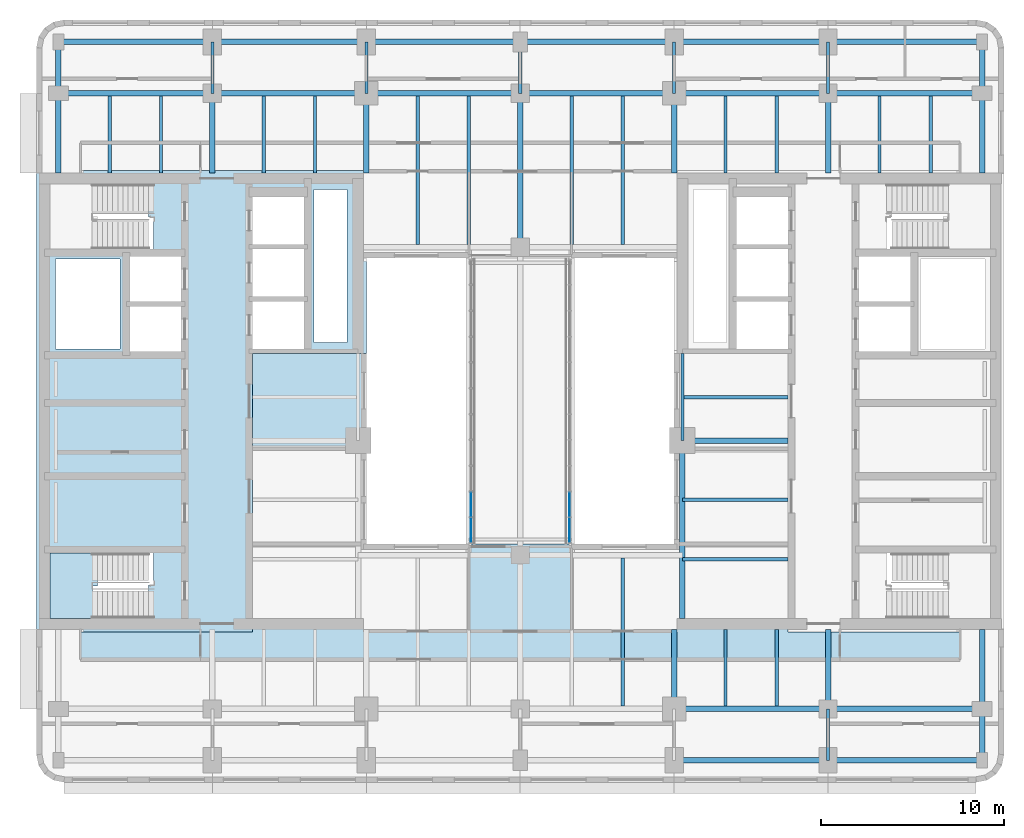
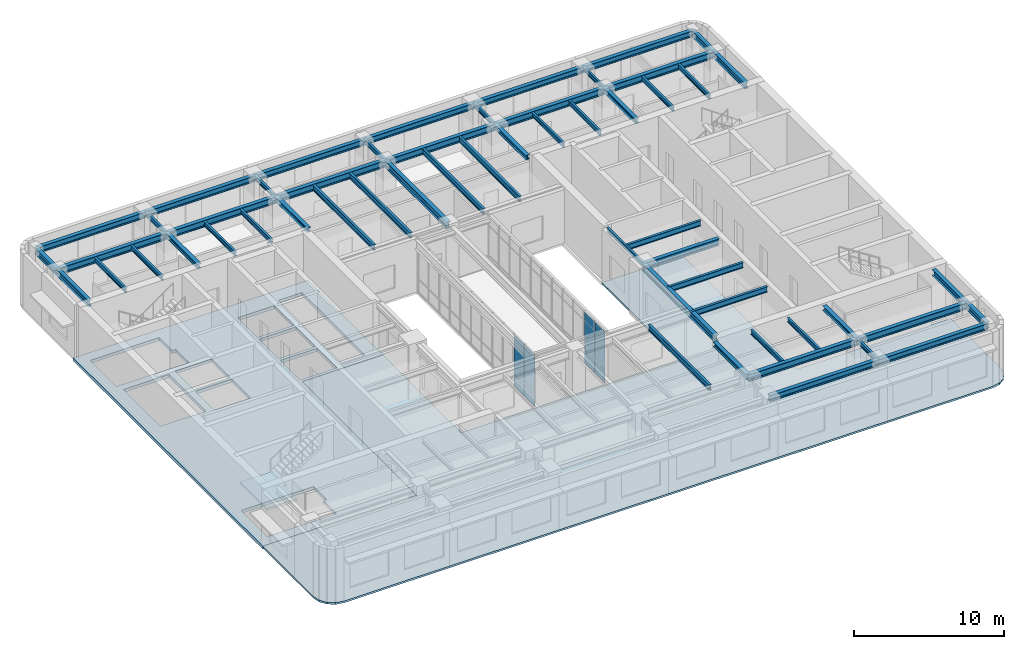
# One storey, part 4 of 14: 56 beams, 8 plates, 3 slabs, 3 elements without a shape of their own.
"""IFC4 building model written with IfcOpenShell, lengths in metres."""

import ifcopenshell
import ifcopenshell.guid

model = None  # the IFC model being written
_history = None  # IfcOwnerHistory: only IFC2X3 demands one
_inside = {}  # id of a spatial element -> (the spatial element, [elements in it])
_under = {}  # id of a project, library or spatial element -> (it, [spatial elements below it])
_declared = {}  # id of a project -> (the project, [libraries it declares])
_typed = {}  # id of a type object -> (the type object, [elements of that type])
_made_of = {}  # id of a material, layer set ... -> (it, [elements and type objects made of it])


def new_model(schema):
    """Start an empty IFC model of exactly this schema.

    Asked for "IFC4X3", IfcOpenShell would pick the latest addendum, in which some entities
    have other attributes; the version numbers below select the first issue.
    IFC2X3 requires an IfcOwnerHistory on every rooted entity: one is made here for all.
    """
    global model, _history
    if schema == "IFC4X3":
        model = ifcopenshell.file(schema_version=(4, 3, 0, 0))
    else:
        model = ifcopenshell.file(schema=schema)
    _inside.clear()
    _under.clear()
    _declared.clear()
    _typed.clear()
    _made_of.clear()
    _history = None
    if model.schema == "IFC2X3":
        org = make("IfcOrganization", Name="unknown")
        user = make(
            "IfcPersonAndOrganization",
            ThePerson=make("IfcPerson", FamilyName="unknown"),
            TheOrganization=org,
        )
        app = make(
            "IfcApplication",
            ApplicationDeveloper=org,
            Version="unknown",
            ApplicationFullName="unknown",
            ApplicationIdentifier="unknown",
        )
        _history = make(
            "IfcOwnerHistory",
            OwningUser=user,
            OwningApplication=app,
            ChangeAction="ADDED",
            CreationDate=0,
        )
    return model


def make(cls, **values):
    """One entity of the class cls with the attributes given. An attribute that is None is left unset."""
    return model.create_entity(
        cls, **{name: value for name, value in values.items() if value is not None}
    )


def rooted(cls, **values):
    """An entity with a GlobalId (a new one), such as an element, a storey or a relation."""
    return make(cls, GlobalId=ifcopenshell.guid.new(), OwnerHistory=_history, **values)


def si_unit(unit_type, name, prefix=None):
    """IfcSIUnit, for example si_unit("LENGTHUNIT", "METRE", prefix="MILLI")."""
    return make("IfcSIUnit", UnitType=unit_type, Prefix=prefix, Name=name)


def assignment(units):
    """IfcUnitAssignment: the units of a project."""
    return None if units is None else make("IfcUnitAssignment", Units=units)


def point(xyz):
    """IfcCartesianPoint."""
    return None if xyz is None else make("IfcCartesianPoint", Coordinates=xyz)


def direction(xyz):
    """IfcDirection."""
    return None if xyz is None else make("IfcDirection", DirectionRatios=xyz)


def frame(location, z_axis=None, x_axis=None):
    """IfcAxis2Placement3D, a coordinate frame: its origin and axes. An axis left out is left unset."""
    return make(
        "IfcAxis2Placement3D",
        Location=point(location),
        Axis=direction(z_axis),
        RefDirection=direction(x_axis),
    )


def frame_2d(location, x_axis=None):
    """IfcAxis2Placement2D, a coordinate frame in the plane: its origin and x axis."""
    return make(
        "IfcAxis2Placement2D", Location=point(location), RefDirection=direction(x_axis)
    )


def origin():
    """The frame at (0, 0, 0) with its axes left unset."""
    return frame((0.0, 0.0, 0.0))


def origin_2d():
    """The frame at (0, 0) in the plane with its x axis left unset."""
    return frame_2d((0.0, 0.0))


def place(relative_to, where):
    """IfcLocalPlacement: puts the frame where relative to a parent placement (None: the world)."""
    return make(
        "IfcLocalPlacement", PlacementRelTo=relative_to, RelativePlacement=where
    )


def context(
    kind, dimensions, precision=None, world=None, true_north=None, identifier=None
):
    """IfcGeometricRepresentationContext, for example the 3D "Model" context."""
    return make(
        "IfcGeometricRepresentationContext",
        ContextIdentifier=identifier,
        ContextType=kind,
        CoordinateSpaceDimension=dimensions,
        Precision=precision,
        WorldCoordinateSystem=world,
        TrueNorth=true_north,
    )


def subcontext(parent, identifier, kind, view, scale=None):
    """IfcGeometricRepresentationSubContext, for example "Body" below "Model"."""
    return make(
        "IfcGeometricRepresentationSubContext",
        ContextIdentifier=identifier,
        ContextType=kind,
        ParentContext=parent,
        TargetScale=scale,
        TargetView=view,
    )


def project(units=None, contexts=None):
    """IfcProject with its units and contexts."""
    return rooted(
        "IfcProject",
        Name="project",
        RepresentationContexts=contexts,
        UnitsInContext=assignment(units),
    )


def spatial(cls, under=None, at=None, **own):
    """A site, building, storey or space (cls), placed at a placement, below another one or the project."""
    s = rooted(cls, ObjectPlacement=at, **own)
    if under is not None:
        _under.setdefault(under.id(), (under, []))[1].append(s)
    return s


def polyline(points):
    """IfcPolyline through the points."""
    return make("IfcPolyline", Points=[point(p) for p in points])


def profile(cls, at=None, kind="AREA", **sizes):
    """A parametric profile (cls). Its sizes go by their IFC names, for example OverallWidth=200.0."""
    return make(cls, ProfileType=kind, Position=at, **sizes)


def rectangle(**sizes):
    """IfcRectangleProfileDef."""
    return profile("IfcRectangleProfileDef", **sizes)


def i_section(**sizes):
    """IfcIShapeProfileDef."""
    return profile("IfcIShapeProfileDef", **sizes)


def outline(outer, holes=None, kind="AREA"):
    """IfcArbitraryClosedProfileDef: a profile drawn as a closed curve; with holes, ...WithVoids."""
    if holes is None:
        return make("IfcArbitraryClosedProfileDef", ProfileType=kind, OuterCurve=outer)
    return make(
        "IfcArbitraryProfileDefWithVoids",
        ProfileType=kind,
        OuterCurve=outer,
        InnerCurves=holes,
    )


def extrude(swept, where, along, depth):
    """IfcExtrudedAreaSolid: the profile swept, set in the frame where, extruded along a direction by depth."""
    return make(
        "IfcExtrudedAreaSolid",
        SweptArea=swept,
        Position=where,
        ExtrudedDirection=direction(along),
        Depth=depth,
    )


def shape(context_of_items, identifier, shape_type, items):
    """IfcShapeRepresentation: the items that make up one representation, for example the "Body"."""
    return make(
        "IfcShapeRepresentation",
        ContextOfItems=context_of_items,
        RepresentationIdentifier=identifier,
        RepresentationType=shape_type,
        Items=items,
    )


def material(Name=None, Category=None):
    """IfcMaterial."""
    return make("IfcMaterial", Name=Name, Category=Category)


def layer(
    of_material, thickness, ventilated=None, Name=None, Category=None, Priority=None
):
    """IfcMaterialLayer: one layer of a wall or slab, of a material (None: an air gap)."""
    return make(
        "IfcMaterialLayer",
        Material=of_material,
        LayerThickness=thickness,
        IsVentilated=ventilated,
        Name=Name,
        Category=Category,
        Priority=Priority,
    )


def layer_set(layers, Name=None):
    """IfcMaterialLayerSet."""
    return make("IfcMaterialLayerSet", MaterialLayers=layers, LayerSetName=Name)


def material_profile(
    of_material, cross_section, Name=None, Category=None, Priority=None
):
    """IfcMaterialProfile: a cross section and its material."""
    return make(
        "IfcMaterialProfile",
        Name=Name,
        Material=of_material,
        Profile=cross_section,
        Priority=Priority,
        Category=Category,
    )


def profile_set(profiles, Name=None, composite=None):
    """IfcMaterialProfileSet."""
    return make(
        "IfcMaterialProfileSet",
        Name=Name,
        MaterialProfiles=profiles,
        CompositeProfile=composite,
    )


def made_of(thing, what):
    """Note that an element or type object is made of a material, layer set ...; save() writes the relation."""
    if what is not None:
        _made_of.setdefault(what.id(), (what, []))[1].append(thing)
    return thing


def type_object(cls, material=None, **own):
    """A type object (cls), such as IfcWallType, which elements share."""
    return made_of(rooted(cls, **own), material)


def element(
    cls,
    number,
    at=None,
    inside=None,
    cuts=None,
    type_object=None,
    material=None,
    context=None,
    identifier="Body",
    shape_type=None,
    held_by="IfcProductDefinitionShape",
    body=None,
    shapes=None,
    **own,
):
    """One element of the class cls, such as IfcWall. Its Tag is "e" and its number.

    at: its placement. inside: the storey or other place that contains it. cuts: it is an
    opening in that element (IfcRelVoidsElement). A single representation is given by context,
    identifier, shape_type and body (its items); several are given by shapes. held_by: the class
    of the entity that holds the representations. save() writes the other relations.
    """
    e = rooted(cls, Tag="e%d" % number, ObjectPlacement=at, **own)
    if body is not None:
        shapes = [shape(context, identifier, shape_type, body)]
    if shapes is not None:
        e.Representation = make(held_by, Representations=shapes)
    if inside is not None:
        _inside.setdefault(inside.id(), (inside, []))[1].append(e)
    if cuts is not None:
        rooted(
            "IfcRelVoidsElement", RelatingBuildingElement=cuts, RelatedOpeningElement=e
        )
    if type_object is not None:
        _typed.setdefault(type_object.id(), (type_object, []))[1].append(e)
    return made_of(e, material)


def aggregate(whole, parts):
    """IfcRelAggregates: a whole, such as a stair, and the parts it consists of."""
    return rooted("IfcRelAggregates", RelatingObject=whole, RelatedObjects=parts)


def save(model, path):
    """Write the relations noted so far, then the file.

    IfcRelAggregates (storeys below a building ...), IfcRelContainedInSpatialStructure (elements
    in a storey), IfcRelDefinesByType, IfcRelAssociatesMaterial and IfcRelDeclares: one each for
    every whole, place, type object, material and project.
    """
    for whole, parts in _under.values():
        aggregate(whole, parts)
    for where, things in _inside.values():
        rooted(
            "IfcRelContainedInSpatialStructure",
            RelatedElements=things,
            RelatingStructure=where,
        )
    for kind, things in _typed.values():
        rooted("IfcRelDefinesByType", RelatedObjects=things, RelatingType=kind)
    for what, things in _made_of.values():
        rooted("IfcRelAssociatesMaterial", RelatedObjects=things, RelatingMaterial=what)
    for by, libraries in _declared.values():
        rooted("IfcRelDeclares", RelatingContext=by, RelatedDefinitions=libraries)
    model.write(path)


model = new_model("IFC4")

# Units and contexts
model_context = context("Model", 3, precision=1e-05, world=origin(), true_north=direction((0.0, 1.0)))
body_context = subcontext(model_context, "Body", "Model", "MODEL_VIEW")
ifc_project = project(units=[si_unit("LENGTHUNIT", "METRE"), si_unit("AREAUNIT", "SQUARE_METRE"), si_unit("VOLUMEUNIT", "CUBIC_METRE"), si_unit("PLANEANGLEUNIT", "RADIAN"), si_unit("MASSUNIT", "GRAM", prefix="KILO")], contexts=[model_context])

# Site, building, storey
site_placement = place(None, origin())
site = spatial("IfcSite", under=ifc_project, at=site_placement, CompositionType="ELEMENT")
building_placement = place(site_placement, origin())
building = spatial("IfcBuilding", under=site, at=building_placement, Name="Claustro Exchange Tower", CompositionType="ELEMENT")
storey_placement = place(building_placement, frame((0.0, 0.0, 250.199951171875)))
storey = spatial("IfcBuildingStorey", under=building, at=storey_placement, Name="L57", CompositionType="ELEMENT", Elevation=250.199951171875)

# Beams
ifc_material_1 = material(Name="Steel S355", Category="steel")
ifc_material_profile_1 = material_profile(ifc_material_1, i_section(OverallWidth=0.169921875, OverallDepth=0.360107421875, WebThickness=0.008056640625, FlangeThickness=0.0126953125, FilletRadius=0.01806640625, at=origin_2d()), Name="IPE 360")
ifc_profile_set_1 = profile_set([ifc_material_profile_1], Name="Steel S355")
beam_type_1 = type_object("IfcBeamType", Name="B16 IPE 360 short-span beam", PredefinedType="BEAM", material=ifc_profile_set_1)
for number, where, z_axis, x_axis, name in (
    (1, (8.39990234375, 42.0, 4.170166015625), (0.0, 1.0, 0.0), (-1.0, 0.0, 0.0), "Beam B16 L58"),
    (2, (16.800048828125, 42.0, 4.170166015625), (0.0, 1.0, 0.0), (-1.0, 0.0, 0.0), "Beam B16 L58"),
    (3, (25.199951171875, 42.0, 4.170166015625), (0.0, 1.0, 0.0), (-1.0, 0.0, 0.0), "Beam B16 L58"),
    (4, (33.60009765625, 42.0, 4.170166015625), (0.0, 1.0, 0.0), (-1.0, 0.0, 0.0), "Beam B16 L58"),
):
    element("IfcBeam", number, at=place(storey_placement, frame(where, z_axis=z_axis, x_axis=x_axis)), inside=storey, type_object=beam_type_1, Name=name, PredefinedType="BEAM", context=body_context, shape_type="SweptSolid", body=[
        extrude(i_section(OverallWidth=0.169921875, OverallDepth=0.360107421875, WebThickness=0.008056640625, FlangeThickness=0.0126953125, FilletRadius=0.01806640625, at=origin_2d()), origin(), (0.0, 0.0, 1.0), 2.800048828125),
    ])
beam_1_placement = place(storey_placement, frame((42.0, 5.60009765625, 4.170166015625), z_axis=(0.0, 1.0, 0.0), x_axis=(-1.0, 0.0, 0.0)))
element("IfcBeam", 5, at=beam_1_placement, inside=storey, type_object=beam_type_1, Name="Beam B16 L58", PredefinedType="BEAM", context=body_context, shape_type="SweptSolid", body=[
    extrude(i_section(OverallWidth=0.169921875, OverallDepth=0.360107421875, WebThickness=0.008056640625, FlangeThickness=0.0126953125, FilletRadius=0.01806640625, at=origin_2d()), origin(), (0.0, 0.0, 1.0), 2.7998046875),
])
beam_2_placement = place(storey_placement, frame((42.0, 42.0, 4.170166015625), z_axis=(0.0, 1.0, 0.0), x_axis=(-1.0, 0.0, 0.0)))
element("IfcBeam", 6, at=beam_2_placement, inside=storey, type_object=beam_type_1, Name="Beam B16 L58", PredefinedType="BEAM", context=body_context, shape_type="SweptSolid", body=[
    extrude(i_section(OverallWidth=0.169921875, OverallDepth=0.360107421875, WebThickness=0.008056640625, FlangeThickness=0.0126953125, FilletRadius=0.01806640625, at=origin_2d()), origin(), (0.0, 0.0, 1.0), 2.800048828125),
])
for number, where, z_axis, x_axis, name in (
    (7, (2.800048828125, 37.64990234375, 4.170166015625), (0.0, 1.0, 0.0), (-1.0, 0.0, 0.0), "Beam B16 L58"),
    (8, (5.60009765625, 37.64990234375, 4.170166015625), (0.0, 1.0, 0.0), (-1.0, 0.0, 0.0), "Beam B16 L58"),
    (9, (11.199951171875, 37.64990234375, 4.170166015625), (0.0, 1.0, 0.0), (-1.0, 0.0, 0.0), "Beam B16 L58"),
    (10, (14.0, 37.64990234375, 4.170166015625), (0.0, 1.0, 0.0), (-1.0, 0.0, 0.0), "Beam B16 L58"),
):
    element("IfcBeam", number, at=place(storey_placement, frame(where, z_axis=z_axis, x_axis=x_axis)), inside=storey, type_object=beam_type_1, Name=name, PredefinedType="BEAM", context=body_context, shape_type="SweptSolid", body=[
        extrude(i_section(OverallWidth=0.169921875, OverallDepth=0.360107421875, WebThickness=0.008056640625, FlangeThickness=0.0126953125, FilletRadius=0.01806640625, at=origin_2d()), origin(), (0.0, 0.0, 1.0), 4.2001953125),
    ])
for number, where, z_axis, x_axis, name in (
    (11, (36.39990234375, 8.550048828125, 4.170166015625), (0.0, 1.0, 0.0), (-1.0, 0.0, 0.0), "Beam B16 L58"),
    (12, (39.199951171875, 8.550048828125, 4.170166015625), (0.0, 1.0, 0.0), (-1.0, 0.0, 0.0), "Beam B16 L58"),
):
    element("IfcBeam", number, at=place(storey_placement, frame(where, z_axis=z_axis, x_axis=x_axis)), inside=storey, type_object=beam_type_1, Name=name, PredefinedType="BEAM", context=body_context, shape_type="SweptSolid", body=[
        extrude(i_section(OverallWidth=0.169921875, OverallDepth=0.360107421875, WebThickness=0.008056640625, FlangeThickness=0.0126953125, FilletRadius=0.01806640625, at=origin_2d()), origin(), (0.0, 0.0, 1.0), 4.199951171875),
    ])
for number, where, z_axis, x_axis, name in (
    (13, (36.39990234375, 37.64990234375, 4.170166015625), (0.0, 1.0, 0.0), (-1.0, 0.0, 0.0), "Beam B16 L58"),
    (14, (39.199951171875, 37.64990234375, 4.170166015625), (0.0, 1.0, 0.0), (-1.0, 0.0, 0.0), "Beam B16 L58"),
    (15, (44.800048828125, 37.64990234375, 4.170166015625), (0.0, 1.0, 0.0), (-1.0, 0.0, 0.0), "Beam B16 L58"),
    (16, (47.60009765625, 37.64990234375, 4.170166015625), (0.0, 1.0, 0.0), (-1.0, 0.0, 0.0), "Beam B16 L58"),
):
    element("IfcBeam", number, at=place(storey_placement, frame(where, z_axis=z_axis, x_axis=x_axis)), inside=storey, type_object=beam_type_1, Name=name, PredefinedType="BEAM", context=body_context, shape_type="SweptSolid", body=[
        extrude(i_section(OverallWidth=0.169921875, OverallDepth=0.360107421875, WebThickness=0.008056640625, FlangeThickness=0.0126953125, FilletRadius=0.01806640625, at=origin_2d()), origin(), (0.0, 0.0, 1.0), 4.2001953125),
    ])
beam_3_placement = place(storey_placement, frame((34.050048828125, 23.050048828125, 4.170166015625), z_axis=(0.0, 1.0, 0.0), x_axis=(-1.0, 0.0, 0.0)))
element("IfcBeam", 17, at=beam_3_placement, inside=storey, type_object=beam_type_1, Name="Beam B16 core step framing L58", PredefinedType="BEAM", context=body_context, shape_type="SweptSolid", body=[
    extrude(i_section(OverallWidth=0.169921875, OverallDepth=0.360107421875, WebThickness=0.008056640625, FlangeThickness=0.0126953125, FilletRadius=0.01806640625, at=origin_2d()), origin(), (0.0, 0.0, 1.0), 4.75),
])
ifc_material_2 = material(Name="Steel S355", Category="steel")
ifc_material_profile_2 = material_profile(ifc_material_2, i_section(OverallWidth=0.300048828125, OverallDepth=0.550048828125, WebThickness=0.014892578125, FlangeThickness=0.029052734375, FilletRadius=0.027099609375, at=origin_2d()), Name="HE 550 B")
ifc_profile_set_2 = profile_set([ifc_material_profile_2], Name="Steel S355")
beam_type_2 = type_object("IfcBeamType", Name="B17 HE 550 B floor girder", PredefinedType="BEAM", material=ifc_profile_set_2)
for number, where, z_axis, x_axis, name in (
    (18, (25.199951171875, 33.60009765625, 4.074951171875), (0.0, 1.0, 0.0), (-1.0, 0.0, 0.0), "Beam B17 L58"),
    (19, (33.60009765625, 8.39990234375, 4.074951171875), (1.0, 0.0, 0.0), (0.0, 1.0, 0.0), "Beam B17 L58"),
    (20, (42.0, 8.39990234375, 4.074951171875), (1.0, 0.0, 0.0), (0.0, 1.0, 0.0), "Beam B17 L58"),
    (21, (0.0, 42.0, 4.074951171875), (1.0, 0.0, 0.0), (0.0, 1.0, 0.0), "Beam B17 L58"),
):
    element("IfcBeam", number, at=place(storey_placement, frame(where, z_axis=z_axis, x_axis=x_axis)), inside=storey, type_object=beam_type_2, Name=name, PredefinedType="BEAM", context=body_context, shape_type="SweptSolid", body=[
        extrude(i_section(OverallWidth=0.300048828125, OverallDepth=0.550048828125, WebThickness=0.014892578125, FlangeThickness=0.029052734375, FilletRadius=0.027099609375, at=origin_2d()), origin(), (0.0, 0.0, 1.0), 8.39990234375),
    ])
beam_4_placement = place(storey_placement, frame((8.39990234375, 42.0, 4.074951171875), z_axis=(1.0, 0.0, 0.0), x_axis=(0.0, 1.0, 0.0)))
element("IfcBeam", 22, at=beam_4_placement, inside=storey, type_object=beam_type_2, Name="Beam B17 L58", PredefinedType="BEAM", context=body_context, shape_type="SweptSolid", body=[
    extrude(i_section(OverallWidth=0.300048828125, OverallDepth=0.550048828125, WebThickness=0.014892578125, FlangeThickness=0.029052734375, FilletRadius=0.027099609375, at=origin_2d()), origin(), (0.0, 0.0, 1.0), 8.400146484375),
])
beam_5_placement = place(storey_placement, frame((16.800048828125, 42.0, 4.074951171875), z_axis=(1.0, 0.0, 0.0), x_axis=(0.0, 1.0, 0.0)))
element("IfcBeam", 23, at=beam_5_placement, inside=storey, type_object=beam_type_2, Name="Beam B17 L58", PredefinedType="BEAM", context=body_context, shape_type="SweptSolid", body=[
    extrude(i_section(OverallWidth=0.300048828125, OverallDepth=0.550048828125, WebThickness=0.014892578125, FlangeThickness=0.029052734375, FilletRadius=0.027099609375, at=origin_2d()), origin(), (0.0, 0.0, 1.0), 8.39990234375),
])
beam_6_placement = place(storey_placement, frame((25.199951171875, 42.0, 4.074951171875), z_axis=(1.0, 0.0, 0.0), x_axis=(0.0, 1.0, 0.0)))
element("IfcBeam", 24, at=beam_6_placement, inside=storey, type_object=beam_type_2, Name="Beam B17 L58", PredefinedType="BEAM", context=body_context, shape_type="SweptSolid", body=[
    extrude(i_section(OverallWidth=0.300048828125, OverallDepth=0.550048828125, WebThickness=0.014892578125, FlangeThickness=0.029052734375, FilletRadius=0.027099609375, at=origin_2d()), origin(), (0.0, 0.0, 1.0), 8.400146484375),
])
for number, where, z_axis, x_axis, name in (
    (25, (33.60009765625, 42.0, 4.074951171875), (1.0, 0.0, 0.0), (0.0, 1.0, 0.0), "Beam B17 L58"),
    (26, (42.0, 42.0, 4.074951171875), (1.0, 0.0, 0.0), (0.0, 1.0, 0.0), "Beam B17 L58"),
):
    element("IfcBeam", number, at=place(storey_placement, frame(where, z_axis=z_axis, x_axis=x_axis)), inside=storey, type_object=beam_type_2, Name=name, PredefinedType="BEAM", context=body_context, shape_type="SweptSolid", body=[
        extrude(i_section(OverallWidth=0.300048828125, OverallDepth=0.550048828125, WebThickness=0.014892578125, FlangeThickness=0.029052734375, FilletRadius=0.027099609375, at=origin_2d()), origin(), (0.0, 0.0, 1.0), 8.39990234375),
    ])
beam_7_placement = place(storey_placement, frame((34.050048828125, 23.050048828125, 4.074951171875), z_axis=(1.0, 0.0, 0.0), x_axis=(0.0, 1.0, 0.0)))
element("IfcBeam", 27, at=beam_7_placement, inside=storey, type_object=beam_type_2, Name="Beam B17 core step framing L58", PredefinedType="BEAM", context=body_context, shape_type="SweptSolid", body=[
    extrude(i_section(OverallWidth=0.300048828125, OverallDepth=0.550048828125, WebThickness=0.014892578125, FlangeThickness=0.029052734375, FilletRadius=0.027099609375, at=origin_2d()), origin(), (0.0, 0.0, 1.0), 5.75),
])
beam_8_placement = place(storey_placement, frame((34.050048828125, 13.35009765625, 4.074951171875), z_axis=(0.0, 1.0, 0.0), x_axis=(-1.0, 0.0, 0.0)))
element("IfcBeam", 28, at=beam_8_placement, inside=storey, type_object=beam_type_2, Name="Beam B17 core step framing L58", PredefinedType="BEAM", context=body_context, shape_type="SweptSolid", body=[
    extrude(i_section(OverallWidth=0.300048828125, OverallDepth=0.550048828125, WebThickness=0.014892578125, FlangeThickness=0.029052734375, FilletRadius=0.027099609375, at=origin_2d()), origin(), (0.0, 0.0, 1.0), 9.699951171875),
])
ifc_material_3 = material(Name="Steel S355", Category="steel")
ifc_material_profile_3 = material_profile(ifc_material_3, i_section(OverallWidth=0.300048828125, OverallDepth=0.360107421875, WebThickness=0.012451171875, FlangeThickness=0.0224609375, FilletRadius=0.027099609375, at=origin_2d()), Name="HE 360 B")
ifc_profile_set_3 = profile_set([ifc_material_profile_3], Name="Steel S355")
beam_type_3 = type_object("IfcBeamType", Name="B29 HE 360 B column to core link beam", PredefinedType="BEAM", material=ifc_profile_set_3)
for number, where, z_axis, x_axis, name in (
    (29, (8.39990234375, 37.64990234375, 4.170166015625), (0.0, 1.0, 0.0), (-1.0, 0.0, 0.0), "Beam B29 L58"),
    (30, (16.800048828125, 37.64990234375, 4.170166015625), (0.0, 1.0, 0.0), (-1.0, 0.0, 0.0), "Beam B29 L58"),
    (31, (33.60009765625, 8.39990234375, 4.170166015625), (0.0, 1.0, 0.0), (-1.0, 0.0, 0.0), "Beam B29 L58"),
    (32, (33.60009765625, 37.64990234375, 4.170166015625), (0.0, 1.0, 0.0), (-1.0, 0.0, 0.0), "Beam B29 L58"),
    (33, (42.0, 8.39990234375, 4.170166015625), (0.0, 1.0, 0.0), (-1.0, 0.0, 0.0), "Beam B29 L58"),
    (34, (42.0, 37.64990234375, 4.170166015625), (0.0, 1.0, 0.0), (-1.0, 0.0, 0.0), "Beam B29 L58"),
):
    element("IfcBeam", number, at=place(storey_placement, frame(where, z_axis=z_axis, x_axis=x_axis)), inside=storey, type_object=beam_type_3, Name=name, PredefinedType="BEAM", context=body_context, shape_type="SweptSolid", body=[
        extrude(i_section(OverallWidth=0.300048828125, OverallDepth=0.360107421875, WebThickness=0.012451171875, FlangeThickness=0.0224609375, FilletRadius=0.027099609375, at=origin_2d()), origin(), (0.0, 0.0, 1.0), 4.35009765625),
    ])
ifc_material_4 = material(Name="Steel S355", Category="steel")
ifc_material_profile_4 = material_profile(ifc_material_4, i_section(OverallWidth=0.18994140625, OverallDepth=0.449951171875, WebThickness=0.009521484375, FlangeThickness=0.0146484375, FilletRadius=0.02099609375, at=origin_2d()), Name="IPE 450")
ifc_profile_set_4 = profile_set([ifc_material_profile_4], Name="Steel S355")
beam_type_4 = type_object("IfcBeamType", Name="B8 IPE 450 secondary beam", PredefinedType="BEAM", material=ifc_profile_set_4)
for number, where, z_axis, x_axis, name in (
    (35, (19.60009765625, 33.75, 4.125), (0.0, 1.0, 0.0), (-1.0, 0.0, 0.0), "Beam B8 L58"),
    (36, (22.39990234375, 33.75, 4.125), (0.0, 1.0, 0.0), (-1.0, 0.0, 0.0), "Beam B8 L58"),
):
    element("IfcBeam", number, at=place(storey_placement, frame(where, z_axis=z_axis, x_axis=x_axis)), inside=storey, type_object=beam_type_4, Name=name, PredefinedType="BEAM", context=body_context, shape_type="SweptSolid", body=[
        extrude(i_section(OverallWidth=0.18994140625, OverallDepth=0.449951171875, WebThickness=0.009521484375, FlangeThickness=0.0146484375, FilletRadius=0.02099609375, at=origin_2d()), origin(), (0.0, 0.0, 1.0), 8.10009765625),
    ])
beam_9_placement = place(storey_placement, frame((30.800048828125, 8.550048828125, 4.125), z_axis=(0.0, 1.0, 0.0), x_axis=(-1.0, 0.0, 0.0)))
element("IfcBeam", 37, at=beam_9_placement, inside=storey, type_object=beam_type_4, Name="Beam B8 L58", PredefinedType="BEAM", context=body_context, shape_type="SweptSolid", body=[
    extrude(i_section(OverallWidth=0.18994140625, OverallDepth=0.449951171875, WebThickness=0.009521484375, FlangeThickness=0.0146484375, FilletRadius=0.02099609375, at=origin_2d()), origin(), (0.0, 0.0, 1.0), 8.099853515625),
])
for number, where, z_axis, x_axis, name in (
    (38, (28.0, 33.75, 4.125), (0.0, 1.0, 0.0), (-1.0, 0.0, 0.0), "Beam B8 L58"),
    (39, (30.800048828125, 33.75, 4.125), (0.0, 1.0, 0.0), (-1.0, 0.0, 0.0), "Beam B8 L58"),
):
    element("IfcBeam", number, at=place(storey_placement, frame(where, z_axis=z_axis, x_axis=x_axis)), inside=storey, type_object=beam_type_4, Name=name, PredefinedType="BEAM", context=body_context, shape_type="SweptSolid", body=[
        extrude(i_section(OverallWidth=0.18994140625, OverallDepth=0.449951171875, WebThickness=0.009521484375, FlangeThickness=0.0146484375, FilletRadius=0.02099609375, at=origin_2d()), origin(), (0.0, 0.0, 1.0), 8.10009765625),
    ])
for number, where, z_axis, x_axis, name in (
    (40, (34.050048828125, 16.583251953125, 4.125), (1.0, 0.0, 0.0), (0.0, 1.0, 0.0), "Beam B8 core step framing L58"),
    (41, (34.050048828125, 19.816650390625, 4.125), (1.0, 0.0, 0.0), (0.0, 1.0, 0.0), "Beam B8 core step framing L58"),
    (42, (34.050048828125, 25.425048828125, 4.125), (1.0, 0.0, 0.0), (0.0, 1.0, 0.0), "Beam B8 core step framing L58"),
):
    element("IfcBeam", number, at=place(storey_placement, frame(where, z_axis=z_axis, x_axis=x_axis)), inside=storey, type_object=beam_type_4, Name=name, PredefinedType="BEAM", context=body_context, shape_type="SweptSolid", body=[
        extrude(i_section(OverallWidth=0.18994140625, OverallDepth=0.449951171875, WebThickness=0.009521484375, FlangeThickness=0.0146484375, FilletRadius=0.02099609375, at=origin_2d()), origin(), (0.0, 0.0, 1.0), 5.75),
    ])
ifc_material_5 = material(Name="Steel S355", Category="steel")
ifc_material_profile_5 = material_profile(ifc_material_5, i_section(OverallWidth=0.300048828125, OverallDepth=0.489990234375, WebThickness=0.011962890625, FlangeThickness=0.02294921875, FilletRadius=0.027099609375, at=origin_2d()), Name="HE 500 A")
ifc_profile_set_5 = profile_set([ifc_material_profile_5], Name="Steel S355")
beam_type_5 = type_object("IfcBeamType", Name="B9 HE 500 A spandrel edge girder", PredefinedType="SPANDREL", material=ifc_profile_set_5)
beam_10_placement = place(storey_placement, frame((0.0, 37.64990234375, 4.10498046875), z_axis=(0.0, 1.0, 0.0), x_axis=(-1.0, 0.0, 0.0)))
element("IfcBeam", 43, at=beam_10_placement, inside=storey, type_object=beam_type_5, Name="Beam B9 L58", PredefinedType="SPANDREL", context=body_context, shape_type="SweptSolid", body=[
    extrude(i_section(OverallWidth=0.300048828125, OverallDepth=0.489990234375, WebThickness=0.011962890625, FlangeThickness=0.02294921875, FilletRadius=0.027099609375, at=origin_2d()), origin(), (0.0, 0.0, 1.0), 4.35009765625),
])
beam_11_placement = place(storey_placement, frame((0.0, 42.0, 4.10498046875), z_axis=(0.0, 1.0, 0.0), x_axis=(-1.0, 0.0, 0.0)))
element("IfcBeam", 44, at=beam_11_placement, inside=storey, type_object=beam_type_5, Name="Beam B9 L58", PredefinedType="SPANDREL", context=body_context, shape_type="SweptSolid", body=[
    extrude(i_section(OverallWidth=0.300048828125, OverallDepth=0.489990234375, WebThickness=0.011962890625, FlangeThickness=0.02294921875, FilletRadius=0.027099609375, at=origin_2d()), origin(), (0.0, 0.0, 1.0), 2.800048828125),
])
beam_12_placement = place(storey_placement, frame((50.39990234375, 5.60009765625, 4.10498046875), z_axis=(0.0, 1.0, 0.0), x_axis=(-1.0, 0.0, 0.0)))
element("IfcBeam", 45, at=beam_12_placement, inside=storey, type_object=beam_type_5, Name="Beam B9 L58", PredefinedType="SPANDREL", context=body_context, shape_type="SweptSolid", body=[
    extrude(i_section(OverallWidth=0.300048828125, OverallDepth=0.489990234375, WebThickness=0.011962890625, FlangeThickness=0.02294921875, FilletRadius=0.027099609375, at=origin_2d()), origin(), (0.0, 0.0, 1.0), 2.7998046875),
])
for number, where, z_axis, x_axis, name in (
    (46, (50.39990234375, 8.39990234375, 4.10498046875), (0.0, 1.0, 0.0), (-1.0, 0.0, 0.0), "Beam B9 L58"),
    (47, (50.39990234375, 37.64990234375, 4.10498046875), (0.0, 1.0, 0.0), (-1.0, 0.0, 0.0), "Beam B9 L58"),
):
    element("IfcBeam", number, at=place(storey_placement, frame(where, z_axis=z_axis, x_axis=x_axis)), inside=storey, type_object=beam_type_5, Name=name, PredefinedType="SPANDREL", context=body_context, shape_type="SweptSolid", body=[
        extrude(i_section(OverallWidth=0.300048828125, OverallDepth=0.489990234375, WebThickness=0.011962890625, FlangeThickness=0.02294921875, FilletRadius=0.027099609375, at=origin_2d()), origin(), (0.0, 0.0, 1.0), 4.35009765625),
    ])
beam_13_placement = place(storey_placement, frame((50.39990234375, 42.0, 4.10498046875), z_axis=(0.0, 1.0, 0.0), x_axis=(-1.0, 0.0, 0.0)))
element("IfcBeam", 48, at=beam_13_placement, inside=storey, type_object=beam_type_5, Name="Beam B9 L58", PredefinedType="SPANDREL", context=body_context, shape_type="SweptSolid", body=[
    extrude(i_section(OverallWidth=0.300048828125, OverallDepth=0.489990234375, WebThickness=0.011962890625, FlangeThickness=0.02294921875, FilletRadius=0.027099609375, at=origin_2d()), origin(), (0.0, 0.0, 1.0), 2.800048828125),
])
for number, where, z_axis, x_axis, name in (
    (49, (33.60009765625, 5.60009765625, 4.10498046875), (1.0, 0.0, 0.0), (0.0, 1.0, 0.0), "Beam B9 L58"),
    (50, (42.0, 5.60009765625, 4.10498046875), (1.0, 0.0, 0.0), (0.0, 1.0, 0.0), "Beam B9 L58"),
    (51, (0.0, 44.800048828125, 4.10498046875), (1.0, 0.0, 0.0), (0.0, 1.0, 0.0), "Beam B9 L58"),
):
    element("IfcBeam", number, at=place(storey_placement, frame(where, z_axis=z_axis, x_axis=x_axis)), inside=storey, type_object=beam_type_5, Name=name, PredefinedType="SPANDREL", context=body_context, shape_type="SweptSolid", body=[
        extrude(i_section(OverallWidth=0.300048828125, OverallDepth=0.489990234375, WebThickness=0.011962890625, FlangeThickness=0.02294921875, FilletRadius=0.027099609375, at=origin_2d()), origin(), (0.0, 0.0, 1.0), 8.39990234375),
    ])
beam_14_placement = place(storey_placement, frame((8.39990234375, 44.800048828125, 4.10498046875), z_axis=(1.0, 0.0, 0.0), x_axis=(0.0, 1.0, 0.0)))
element("IfcBeam", 52, at=beam_14_placement, inside=storey, type_object=beam_type_5, Name="Beam B9 L58", PredefinedType="SPANDREL", context=body_context, shape_type="SweptSolid", body=[
    extrude(i_section(OverallWidth=0.300048828125, OverallDepth=0.489990234375, WebThickness=0.011962890625, FlangeThickness=0.02294921875, FilletRadius=0.027099609375, at=origin_2d()), origin(), (0.0, 0.0, 1.0), 8.400146484375),
])
beam_15_placement = place(storey_placement, frame((16.800048828125, 44.800048828125, 4.10498046875), z_axis=(1.0, 0.0, 0.0), x_axis=(0.0, 1.0, 0.0)))
element("IfcBeam", 53, at=beam_15_placement, inside=storey, type_object=beam_type_5, Name="Beam B9 L58", PredefinedType="SPANDREL", context=body_context, shape_type="SweptSolid", body=[
    extrude(i_section(OverallWidth=0.300048828125, OverallDepth=0.489990234375, WebThickness=0.011962890625, FlangeThickness=0.02294921875, FilletRadius=0.027099609375, at=origin_2d()), origin(), (0.0, 0.0, 1.0), 8.39990234375),
])
beam_16_placement = place(storey_placement, frame((25.199951171875, 44.800048828125, 4.10498046875), z_axis=(1.0, 0.0, 0.0), x_axis=(0.0, 1.0, 0.0)))
element("IfcBeam", 54, at=beam_16_placement, inside=storey, type_object=beam_type_5, Name="Beam B9 L58", PredefinedType="SPANDREL", context=body_context, shape_type="SweptSolid", body=[
    extrude(i_section(OverallWidth=0.300048828125, OverallDepth=0.489990234375, WebThickness=0.011962890625, FlangeThickness=0.02294921875, FilletRadius=0.027099609375, at=origin_2d()), origin(), (0.0, 0.0, 1.0), 8.400146484375),
])
for number, where, z_axis, x_axis, name in (
    (55, (33.60009765625, 44.800048828125, 4.10498046875), (1.0, 0.0, 0.0), (0.0, 1.0, 0.0), "Beam B9 L58"),
    (56, (42.0, 44.800048828125, 4.10498046875), (1.0, 0.0, 0.0), (0.0, 1.0, 0.0), "Beam B9 L58"),
):
    element("IfcBeam", number, at=place(storey_placement, frame(where, z_axis=z_axis, x_axis=x_axis)), inside=storey, type_object=beam_type_5, Name=name, PredefinedType="SPANDREL", context=body_context, shape_type="SweptSolid", body=[
        extrude(i_section(OverallWidth=0.300048828125, OverallDepth=0.489990234375, WebThickness=0.011962890625, FlangeThickness=0.02294921875, FilletRadius=0.027099609375, at=origin_2d()), origin(), (0.0, 0.0, 1.0), 8.39990234375),
    ])

# Curtain wall, plates
ifc_material_6 = material(Name="Aluminium frame, clear double glazing", Category="aluminium")
curtain_wall_type = type_object("IfcCurtainWallType", Name="CW2 sky bridge curtain wall", PredefinedType="USERDEFINED", material=ifc_material_6)
curtain_wall_1_placement = place(storey_placement, origin())
curtain_wall_1 = element("IfcCurtainWall", 57, at=curtain_wall_1_placement, inside=storey, type_object=curtain_wall_type, Name="Curtain wall CW2 L57", ObjectType="STICK CURTAIN WALL", PredefinedType="USERDEFINED")
ifc_material_7 = material(Name="Clear double glazing", Category="glass")
ifc_layer_1 = layer(ifc_material_7, 0.028076171875)
ifc_layer_set_1 = layer_set([ifc_layer_1], Name="Clear double glazing")
plate_type = type_object("IfcPlateType", Name="CW2-P 28 glazed panel", PredefinedType="CURTAIN_PANEL", material=ifc_layer_set_1)
plate_1_placement = place(storey_placement, frame((22.5, 18.16943359375, 0.06005859375), z_axis=(0.0, 0.0, 1.0), x_axis=(0.0, 1.0, 0.0)))
plate_1 = element("IfcPlate", 58, at=plate_1_placement, type_object=plate_type, Name="CW2 panel 1.1", PredefinedType="CURTAIN_PANEL", context=body_context, shape_type="SweptSolid", body=[
    extrude(rectangle(XDim=1.319091796875, YDim=0.028076171875, at=origin_2d()), origin(), (0.0, 0.0, 1.0), 1.010009765625),
])
plate_2_placement = place(storey_placement, frame((22.5, 18.16943359375, 1.1298828125), z_axis=(0.0, 0.0, 1.0), x_axis=(0.0, 1.0, 0.0)))
plate_2 = element("IfcPlate", 59, at=plate_2_placement, type_object=plate_type, Name="CW2 panel 1.2", PredefinedType="CURTAIN_PANEL", context=body_context, shape_type="SweptSolid", body=[
    extrude(rectangle(XDim=1.319091796875, YDim=0.028076171875, at=origin_2d()), origin(), (0.0, 0.0, 1.0), 3.110107421875),
])
plate_3_placement = place(storey_placement, frame((22.5, 19.563720703125, 0.06005859375), z_axis=(0.0, 0.0, 1.0), x_axis=(0.0, 1.0, 0.0)))
plate_3 = element("IfcPlate", 60, at=plate_3_placement, type_object=plate_type, Name="CW2 panel 2.1", PredefinedType="CURTAIN_PANEL", context=body_context, shape_type="SweptSolid", body=[
    extrude(rectangle(XDim=1.34912109375, YDim=0.028076171875, at=origin_2d()), origin(), (0.0, 0.0, 1.0), 1.010009765625),
])
plate_4_placement = place(storey_placement, frame((22.5, 19.563720703125, 1.1298828125), z_axis=(0.0, 0.0, 1.0), x_axis=(0.0, 1.0, 0.0)))
plate_4 = element("IfcPlate", 61, at=plate_4_placement, type_object=plate_type, Name="CW2 panel 2.2", PredefinedType="CURTAIN_PANEL", context=body_context, shape_type="SweptSolid", body=[
    extrude(rectangle(XDim=1.34912109375, YDim=0.028076171875, at=origin_2d()), origin(), (0.0, 0.0, 1.0), 3.110107421875),
])
aggregate(curtain_wall_1, [plate_1, plate_2, plate_3, plate_4])

curtain_wall_2_placement = place(storey_placement, origin())
curtain_wall_2 = element("IfcCurtainWall", 62, at=curtain_wall_2_placement, inside=storey, type_object=curtain_wall_type, Name="Curtain wall CW2 L57", ObjectType="STICK CURTAIN WALL", PredefinedType="USERDEFINED")
plate_5_placement = place(storey_placement, frame((27.89990234375, 18.16943359375, 0.06005859375), z_axis=(0.0, 0.0, 1.0), x_axis=(0.0, 1.0, 0.0)))
plate_5 = element("IfcPlate", 63, at=plate_5_placement, type_object=plate_type, Name="CW2 panel 1.1", PredefinedType="CURTAIN_PANEL", context=body_context, shape_type="SweptSolid", body=[
    extrude(rectangle(XDim=1.319091796875, YDim=0.028076171875, at=origin_2d()), origin(), (0.0, 0.0, 1.0), 1.010009765625),
])
plate_6_placement = place(storey_placement, frame((27.89990234375, 18.16943359375, 1.1298828125), z_axis=(0.0, 0.0, 1.0), x_axis=(0.0, 1.0, 0.0)))
plate_6 = element("IfcPlate", 64, at=plate_6_placement, type_object=plate_type, Name="CW2 panel 1.2", PredefinedType="CURTAIN_PANEL", context=body_context, shape_type="SweptSolid", body=[
    extrude(rectangle(XDim=1.319091796875, YDim=0.028076171875, at=origin_2d()), origin(), (0.0, 0.0, 1.0), 3.110107421875),
])
plate_7_placement = place(storey_placement, frame((27.89990234375, 19.563720703125, 0.06005859375), z_axis=(0.0, 0.0, 1.0), x_axis=(0.0, 1.0, 0.0)))
plate_7 = element("IfcPlate", 65, at=plate_7_placement, type_object=plate_type, Name="CW2 panel 2.1", PredefinedType="CURTAIN_PANEL", context=body_context, shape_type="SweptSolid", body=[
    extrude(rectangle(XDim=1.34912109375, YDim=0.028076171875, at=origin_2d()), origin(), (0.0, 0.0, 1.0), 1.010009765625),
])
plate_8_placement = place(storey_placement, frame((27.89990234375, 19.563720703125, 1.1298828125), z_axis=(0.0, 0.0, 1.0), x_axis=(0.0, 1.0, 0.0)))
plate_8 = element("IfcPlate", 66, at=plate_8_placement, type_object=plate_type, Name="CW2 panel 2.2", PredefinedType="CURTAIN_PANEL", context=body_context, shape_type="SweptSolid", body=[
    extrude(rectangle(XDim=1.34912109375, YDim=0.028076171875, at=origin_2d()), origin(), (0.0, 0.0, 1.0), 3.110107421875),
])
aggregate(curtain_wall_2, [plate_5, plate_6, plate_7, plate_8])

# Slabs
ifc_material_8 = material(Name="Concrete HA-50 (C50/60)", Category="concrete")
ifc_layer_2 = layer(ifc_material_8, 0.14990234375)
ifc_layer_set_2 = layer_set([ifc_layer_2], Name="Concrete HA-50 (C50/60)")
slab_type_1 = type_object("IfcSlabType", Name="S2 150 composite floor slab", PredefinedType="FLOOR", material=ifc_layer_set_2)
slab_1_placement = place(storey_placement, frame((0.0, 0.0, -0.14990234375)))
element("IfcSlab", 67, at=slab_1_placement, inside=storey, type_object=slab_type_1, Name="Floor slab S2 S L57", PredefinedType="FLOOR", context=body_context, shape_type="SweptSolid", body=[
    extrude(outline(polyline([(-0.27392578125, 4.51416015625), (0.300048828125, 4.39990234375), (50.10009765625, 4.39990234375), (50.674072265625, 4.51416015625), (51.16064453125, 4.83935546875), (51.48583984375, 5.325927734375), (51.60009765625, 5.89990234375), (51.60009765625, 12.60009765625), (39.800048828125, 12.60009765625), (39.800048828125, 27.800048828125), (33.60009765625, 27.800048828125), (33.60009765625, 17.39990234375), (16.800048828125, 17.39990234375), (16.800048828125, 27.800048828125), (10.60009765625, 27.800048828125), (10.60009765625, 12.60009765625), (-1.199951171875, 12.60009765625), (-1.199951171875, 5.89990234375), (-1.085693359375, 5.325927734375), (-0.7607421875, 4.83935546875), (-0.27392578125, 4.51416015625)])), origin(), (0.0, 0.0, 1.0), 0.14990234375),
])
ifc_material_9 = material(Name="Concrete HA-50 (C50/60)", Category="concrete")
ifc_layer_3 = layer(ifc_material_9, 0.25)
ifc_layer_set_3 = layer_set([ifc_layer_3], Name="Concrete HA-50 (C50/60)")
slab_type_2 = type_object("IfcSlabType", Name="S7 250 core floor slab", PredefinedType="FLOOR", material=ifc_layer_set_3)
slab_2_placement = place(storey_placement, frame((0.0, 0.0, -0.25)))
element("IfcSlab", 68, at=slab_2_placement, inside=storey, type_object=slab_type_2, Name="Core floor slab S7 W core L57", PredefinedType="FLOOR", context=body_context, shape_type="SweptSolid", body=[
    extrude(outline(polyline([(-1.199951171875, 37.800048828125), (-1.199951171875, 12.60009765625), (10.60009765625, 12.60009765625), (10.60009765625, 27.800048828125), (16.800048828125, 27.800048828125), (16.800048828125, 37.800048828125), (-1.199951171875, 37.800048828125)]), holes=[polyline([(13.949951171875, 36.75), (15.75, 36.75), (15.75, 28.39990234375), (13.949951171875, 28.39990234375), (13.949951171875, 36.75)]), polyline([(10.60009765625, 30.64990234375), (13.39990234375, 30.64990234375), (13.39990234375, 28.050048828125), (10.60009765625, 28.050048828125), (10.60009765625, 30.64990234375)]), polyline([(10.60009765625, 33.5), (13.39990234375, 33.5), (13.39990234375, 30.89990234375), (10.60009765625, 30.89990234375), (10.60009765625, 33.5)]), polyline([(13.39990234375, 36.35009765625), (13.39990234375, 33.75), (10.60009765625, 33.75), (10.60009765625, 36.35009765625), (13.39990234375, 36.35009765625)]), polyline([(3.89990234375, 30.375), (6.699951171875, 30.375), (6.699951171875, 27.89990234375), (3.89990234375, 27.89990234375), (3.89990234375, 30.375)]), polyline([(3.89990234375, 33.10009765625), (6.699951171875, 33.10009765625), (6.699951171875, 30.625), (3.89990234375, 30.625), (3.89990234375, 33.10009765625)]), polyline([(-0.375, 15.16259765625), (-0.375, 16.89990234375), (5.195068359375, 16.89990234375), (5.195068359375, 15.16259765625), (4.919921875, 15.16259765625), (4.919921875, 13.425048828125), (-0.375, 13.425048828125), (-0.375, 15.16259765625)]), polyline([(-0.375, 35.237548828125), (-0.375, 36.97509765625), (4.919921875, 36.97509765625), (4.919921875, 35.237548828125), (5.195068359375, 35.237548828125), (5.195068359375, 33.5), (-0.375, 33.5), (-0.375, 35.237548828125)]), polyline([(-0.14990234375, 32.949951171875), (3.35009765625, 32.949951171875), (3.35009765625, 28.050048828125), (-0.14990234375, 28.050048828125), (-0.14990234375, 32.949951171875)])]), origin(), (0.0, 0.0, 1.0), 0.25),
])

# Stair, slab
ifc_material_10 = material(Name="Concrete HA-30 (C30/37), precast", Category="concrete")
stair_type = type_object("IfcStairType", Name="ST2 half-turn stair, 25 risers of 180", PredefinedType="HALF_TURN_STAIR", material=ifc_material_10)
stair_placement = place(storey_placement, origin())
stair = element("IfcStair", 69, at=stair_placement, inside=storey, type_object=stair_type, Name="Stair STWA L57", PredefinedType="HALF_TURN_STAIR")
ifc_material_11 = material(Name="Concrete HA-30 (C30/37), precast", Category="concrete")
ifc_layer_4 = layer(ifc_material_11, 0.199951171875)
ifc_layer_set_4 = layer_set([ifc_layer_4], Name="Concrete HA-30 (C30/37), precast")
slab_type_3 = type_object("IfcSlabType", Name="S9 200 stair landing", PredefinedType="LANDING", material=ifc_layer_set_4)
slab_3_placement = place(storey_placement, frame((0.0, 0.0, 2.14013671875)))
slab_3 = element("IfcSlab", 70, at=slab_3_placement, type_object=slab_type_3, Name="STWA landing 1", PredefinedType="LANDING", context=body_context, shape_type="SweptSolid", body=[
    extrude(outline(polyline([(1.844970703125, 13.35009765625), (-0.449951171875, 13.35009765625), (-0.449951171875, 16.89990234375), (1.840087890625, 16.89990234375), (1.844970703125, 16.89990234375), (2.1201171875, 16.89990234375), (2.1201171875, 15.125), (1.844970703125, 15.125), (1.844970703125, 13.35009765625)])), origin(), (0.0, 0.0, 1.0), 0.199951171875),
])
aggregate(stair, [slab_3])

save(model, "model.ifc")
